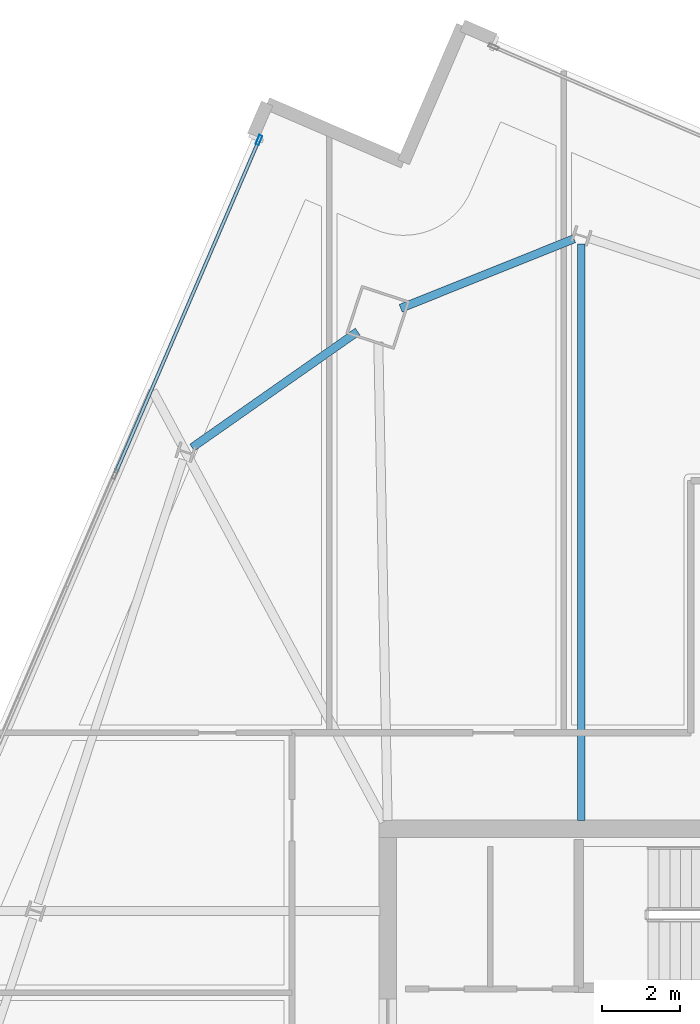
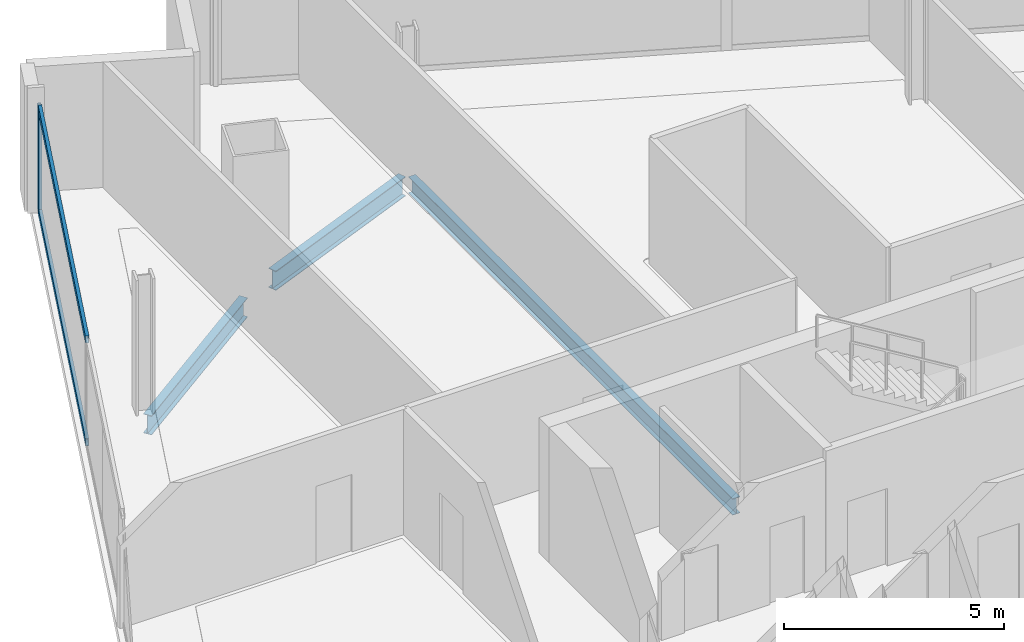
# One storey, part 14 of 28: 3 beams, 3 members, 1 element without a shape of its own.
"""IFC4 building model written with IfcOpenShell, lengths in metres."""

import ifcopenshell
import ifcopenshell.guid

model = None  # the IFC model being written
_history = None  # IfcOwnerHistory: only IFC2X3 demands one
_inside = {}  # id of a spatial element -> (the spatial element, [elements in it])
_under = {}  # id of a project, library or spatial element -> (it, [spatial elements below it])
_declared = {}  # id of a project -> (the project, [libraries it declares])
_typed = {}  # id of a type object -> (the type object, [elements of that type])
_made_of = {}  # id of a material, layer set ... -> (it, [elements and type objects made of it])


def new_model(schema):
    """Start an empty IFC model of exactly this schema.

    Asked for "IFC4X3", IfcOpenShell would pick the latest addendum, in which some entities
    have other attributes; the version numbers below select the first issue.
    IFC2X3 requires an IfcOwnerHistory on every rooted entity: one is made here for all.
    """
    global model, _history
    if schema == "IFC4X3":
        model = ifcopenshell.file(schema_version=(4, 3, 0, 0))
    else:
        model = ifcopenshell.file(schema=schema)
    _inside.clear()
    _under.clear()
    _declared.clear()
    _typed.clear()
    _made_of.clear()
    _history = None
    if model.schema == "IFC2X3":
        org = make("IfcOrganization", Name="unknown")
        user = make(
            "IfcPersonAndOrganization",
            ThePerson=make("IfcPerson", FamilyName="unknown"),
            TheOrganization=org,
        )
        app = make(
            "IfcApplication",
            ApplicationDeveloper=org,
            Version="unknown",
            ApplicationFullName="unknown",
            ApplicationIdentifier="unknown",
        )
        _history = make(
            "IfcOwnerHistory",
            OwningUser=user,
            OwningApplication=app,
            ChangeAction="ADDED",
            CreationDate=0,
        )
    return model


def make(cls, **values):
    """One entity of the class cls with the attributes given. An attribute that is None is left unset."""
    return model.create_entity(
        cls, **{name: value for name, value in values.items() if value is not None}
    )


def rooted(cls, **values):
    """An entity with a GlobalId (a new one), such as an element, a storey or a relation."""
    return make(cls, GlobalId=ifcopenshell.guid.new(), OwnerHistory=_history, **values)


def si_unit(unit_type, name, prefix=None):
    """IfcSIUnit, for example si_unit("LENGTHUNIT", "METRE", prefix="MILLI")."""
    return make("IfcSIUnit", UnitType=unit_type, Prefix=prefix, Name=name)


def assignment(units):
    """IfcUnitAssignment: the units of a project."""
    return None if units is None else make("IfcUnitAssignment", Units=units)


def point(xyz):
    """IfcCartesianPoint."""
    return None if xyz is None else make("IfcCartesianPoint", Coordinates=xyz)


def direction(xyz):
    """IfcDirection."""
    return None if xyz is None else make("IfcDirection", DirectionRatios=xyz)


def frame(location, z_axis=None, x_axis=None):
    """IfcAxis2Placement3D, a coordinate frame: its origin and axes. An axis left out is left unset."""
    return make(
        "IfcAxis2Placement3D",
        Location=point(location),
        Axis=direction(z_axis),
        RefDirection=direction(x_axis),
    )


def frame_2d(location, x_axis=None):
    """IfcAxis2Placement2D, a coordinate frame in the plane: its origin and x axis."""
    return make(
        "IfcAxis2Placement2D", Location=point(location), RefDirection=direction(x_axis)
    )


def origin():
    """The frame at (0, 0, 0) with its axes left unset."""
    return frame((0.0, 0.0, 0.0))


def origin_2d():
    """The frame at (0, 0) in the plane with its x axis left unset."""
    return frame_2d((0.0, 0.0))


def place(relative_to, where):
    """IfcLocalPlacement: puts the frame where relative to a parent placement (None: the world)."""
    return make(
        "IfcLocalPlacement", PlacementRelTo=relative_to, RelativePlacement=where
    )


def context(
    kind, dimensions, precision=None, world=None, true_north=None, identifier=None
):
    """IfcGeometricRepresentationContext, for example the 3D "Model" context."""
    return make(
        "IfcGeometricRepresentationContext",
        ContextIdentifier=identifier,
        ContextType=kind,
        CoordinateSpaceDimension=dimensions,
        Precision=precision,
        WorldCoordinateSystem=world,
        TrueNorth=true_north,
    )


def subcontext(parent, identifier, kind, view, scale=None):
    """IfcGeometricRepresentationSubContext, for example "Body" below "Model"."""
    return make(
        "IfcGeometricRepresentationSubContext",
        ContextIdentifier=identifier,
        ContextType=kind,
        ParentContext=parent,
        TargetScale=scale,
        TargetView=view,
    )


def project(units=None, contexts=None):
    """IfcProject with its units and contexts."""
    return rooted(
        "IfcProject",
        Name="project",
        RepresentationContexts=contexts,
        UnitsInContext=assignment(units),
    )


def spatial(cls, under=None, at=None, **own):
    """A site, building, storey or space (cls), placed at a placement, below another one or the project."""
    s = rooted(cls, ObjectPlacement=at, **own)
    if under is not None:
        _under.setdefault(under.id(), (under, []))[1].append(s)
    return s


def profile(cls, at=None, kind="AREA", **sizes):
    """A parametric profile (cls). Its sizes go by their IFC names, for example OverallWidth=200.0."""
    return make(cls, ProfileType=kind, Position=at, **sizes)


def hollow_rectangle(**sizes):
    """IfcRectangleHollowProfileDef."""
    return profile("IfcRectangleHollowProfileDef", **sizes)


def i_section(**sizes):
    """IfcIShapeProfileDef."""
    return profile("IfcIShapeProfileDef", **sizes)


def extrude(swept, where, along, depth):
    """IfcExtrudedAreaSolid: the profile swept, set in the frame where, extruded along a direction by depth."""
    return make(
        "IfcExtrudedAreaSolid",
        SweptArea=swept,
        Position=where,
        ExtrudedDirection=direction(along),
        Depth=depth,
    )


def shape(context_of_items, identifier, shape_type, items):
    """IfcShapeRepresentation: the items that make up one representation, for example the "Body"."""
    return make(
        "IfcShapeRepresentation",
        ContextOfItems=context_of_items,
        RepresentationIdentifier=identifier,
        RepresentationType=shape_type,
        Items=items,
    )


def material(Name=None, Category=None):
    """IfcMaterial."""
    return make("IfcMaterial", Name=Name, Category=Category)


def material_profile(
    of_material, cross_section, Name=None, Category=None, Priority=None
):
    """IfcMaterialProfile: a cross section and its material."""
    return make(
        "IfcMaterialProfile",
        Name=Name,
        Material=of_material,
        Profile=cross_section,
        Priority=Priority,
        Category=Category,
    )


def profile_set(profiles, Name=None, composite=None):
    """IfcMaterialProfileSet."""
    return make(
        "IfcMaterialProfileSet",
        Name=Name,
        MaterialProfiles=profiles,
        CompositeProfile=composite,
    )


def made_of(thing, what):
    """Note that an element or type object is made of a material, layer set ...; save() writes the relation."""
    if what is not None:
        _made_of.setdefault(what.id(), (what, []))[1].append(thing)
    return thing


def type_object(cls, material=None, **own):
    """A type object (cls), such as IfcWallType, which elements share."""
    return made_of(rooted(cls, **own), material)


def element(
    cls,
    number,
    at=None,
    inside=None,
    cuts=None,
    type_object=None,
    material=None,
    context=None,
    identifier="Body",
    shape_type=None,
    held_by="IfcProductDefinitionShape",
    body=None,
    shapes=None,
    **own,
):
    """One element of the class cls, such as IfcWall. Its Tag is "e" and its number.

    at: its placement. inside: the storey or other place that contains it. cuts: it is an
    opening in that element (IfcRelVoidsElement). A single representation is given by context,
    identifier, shape_type and body (its items); several are given by shapes. held_by: the class
    of the entity that holds the representations. save() writes the other relations.
    """
    e = rooted(cls, Tag="e%d" % number, ObjectPlacement=at, **own)
    if body is not None:
        shapes = [shape(context, identifier, shape_type, body)]
    if shapes is not None:
        e.Representation = make(held_by, Representations=shapes)
    if inside is not None:
        _inside.setdefault(inside.id(), (inside, []))[1].append(e)
    if cuts is not None:
        rooted(
            "IfcRelVoidsElement", RelatingBuildingElement=cuts, RelatedOpeningElement=e
        )
    if type_object is not None:
        _typed.setdefault(type_object.id(), (type_object, []))[1].append(e)
    return made_of(e, material)


def aggregate(whole, parts):
    """IfcRelAggregates: a whole, such as a stair, and the parts it consists of."""
    return rooted("IfcRelAggregates", RelatingObject=whole, RelatedObjects=parts)


def save(model, path):
    """Write the relations noted so far, then the file.

    IfcRelAggregates (storeys below a building ...), IfcRelContainedInSpatialStructure (elements
    in a storey), IfcRelDefinesByType, IfcRelAssociatesMaterial and IfcRelDeclares: one each for
    every whole, place, type object, material and project.
    """
    for whole, parts in _under.values():
        aggregate(whole, parts)
    for where, things in _inside.values():
        rooted(
            "IfcRelContainedInSpatialStructure",
            RelatedElements=things,
            RelatingStructure=where,
        )
    for kind, things in _typed.values():
        rooted("IfcRelDefinesByType", RelatedObjects=things, RelatingType=kind)
    for what, things in _made_of.values():
        rooted("IfcRelAssociatesMaterial", RelatedObjects=things, RelatingMaterial=what)
    for by, libraries in _declared.values():
        rooted("IfcRelDeclares", RelatingContext=by, RelatedDefinitions=libraries)
    model.write(path)


model = new_model("IFC4")

# Units and contexts
model_context = context("Model", 3, precision=1e-05, world=origin(), true_north=direction((0.0, 1.0)))
body_context = subcontext(model_context, "Body", "Model", "MODEL_VIEW")
ifc_project = project(units=[si_unit("LENGTHUNIT", "METRE"), si_unit("AREAUNIT", "SQUARE_METRE"), si_unit("VOLUMEUNIT", "CUBIC_METRE"), si_unit("PLANEANGLEUNIT", "RADIAN"), si_unit("MASSUNIT", "GRAM", prefix="KILO")], contexts=[model_context])

# Site, building, storey
site_placement = place(None, origin())
site = spatial("IfcSite", under=ifc_project, at=site_placement, CompositionType="ELEMENT")
building_placement = place(site_placement, origin())
building = spatial("IfcBuilding", under=site, at=building_placement, Name="Haldenkirk Collegiate Tower", CompositionType="ELEMENT")
storey_placement = place(building_placement, frame((0.0, 0.0, 252.449951171875)))
storey = spatial("IfcBuildingStorey", under=building, at=storey_placement, Name="L63", CompositionType="ELEMENT", Elevation=252.449951171875)

# Beams
ifc_material_1 = material(Name="Steel ASTM A992 Grade 50", Category="steel")
ifc_material_profile_1 = material_profile(ifc_material_1, i_section(OverallWidth=0.18994140625, OverallDepth=0.45703125, WebThickness=0.009033203125, FlangeThickness=0.014404296875, at=origin_2d()), Name="W18X50")
ifc_profile_set_1 = profile_set([ifc_material_profile_1], Name="Steel ASTM A992 Grade 50")
beam_type_1 = type_object("IfcBeamType", Name="BM-JOIST-W18X50", PredefinedType="JOIST", material=ifc_profile_set_1)
beam_1_placement = place(storey_placement, frame((31.949462890625, 48.955810546875, -0.49853515625), z_axis=(0.0, -1.0, 0.0), x_axis=(1.0, 0.0, 0.0)))
element("IfcBeam", 1, at=beam_1_placement, inside=storey, type_object=beam_type_1, Name="L63 composite floor joist 10", PredefinedType="JOIST", context=body_context, shape_type="SweptSolid", body=[
    extrude(i_section(OverallWidth=0.18994140625, OverallDepth=0.45703125, WebThickness=0.009033203125, FlangeThickness=0.014404296875, at=origin_2d()), origin(), (0.0, 0.0, 1.0), 14.750732421875),
])
ifc_material_profile_2 = material_profile(ifc_material_1, i_section(OverallWidth=0.2099609375, OverallDepth=0.537109375, WebThickness=0.010986328125, FlangeThickness=0.017333984375, at=origin_2d()), Name="W21X68")
ifc_profile_set_2 = profile_set([ifc_material_profile_2], Name="Steel ASTM A992 Grade 50")
beam_type_2 = type_object("IfcBeamType", Name="BM-SPANDREL-W21X68", PredefinedType="SPANDREL", material=ifc_profile_set_2)
beam_2_placement = place(storey_placement, frame((31.761474609375, 49.0830078125, -0.538330078125), z_axis=(-0.928296709602, -0.371840313768, 0.0), x_axis=(0.371840313768, -0.928296709602, 0.0)))
element("IfcBeam", 2, at=beam_2_placement, inside=storey, type_object=beam_type_2, Name="L63 perimeter spandrel beam 08", PredefinedType="SPANDREL", context=body_context, shape_type="SweptSolid", body=[
    extrude(i_section(OverallWidth=0.2099609375, OverallDepth=0.537109375, WebThickness=0.010986328125, FlangeThickness=0.017333984375, at=origin_2d()), origin(), (0.0, 0.0, 1.0), 4.77392578125),
])
beam_3_placement = place(storey_placement, frame((26.22900390625, 46.7119140625, -0.538330078125), z_axis=(-0.818927819185, -0.573896529842, 0.0), x_axis=(0.573896529842, -0.818927819185, 0.0)))
element("IfcBeam", 3, at=beam_3_placement, inside=storey, type_object=beam_type_2, Name="L63 perimeter spandrel beam 09", PredefinedType="SPANDREL", context=body_context, shape_type="SweptSolid", body=[
    extrude(i_section(OverallWidth=0.2099609375, OverallDepth=0.537109375, WebThickness=0.010986328125, FlangeThickness=0.017333984375, at=origin_2d()), origin(), (0.0, 0.0, 1.0), 5.169189453125),
])

# Curtain wall, members
ifc_material_2 = material(Name="Anodised architectural bronze aluminium", Category="aluminium")
curtain_wall_type = type_object("IfcCurtainWallType", Name="CW-SYS1B-CONVEX-HI", PredefinedType="USERDEFINED", material=ifc_material_2)
curtain_wall_placement = place(storey_placement, origin())
curtain_wall = element("IfcCurtainWall", 4, at=curtain_wall_placement, inside=storey, type_object=curtain_wall_type, Name="L63 Upper tower high-wind convex bronze unitised curtain wall", ObjectType="UNITISED CURTAIN WALL", PredefinedType="USERDEFINED")
ifc_material_profile_3 = material_profile(ifc_material_2, hollow_rectangle(XDim=0.0849609375, YDim=0.25, WallThickness=0.0048828125, at=origin_2d()), Name="CW-MUL-1B")
ifc_profile_set_3 = profile_set([ifc_material_profile_3], Name="Anodised architectural bronze aluminium")
member_type_1 = type_object("IfcMemberType", Name="CW-MUL-1B", PredefinedType="MULLION", material=ifc_profile_set_3)
member_1_placement = place(storey_placement, frame((23.706787109375, 51.6083984375, 0.0), z_axis=(0.0, 0.0, 1.0), x_axis=(-0.918446421115, 0.395545410215, 0.0)))
member_1 = element("IfcMember", 5, at=member_1_placement, type_object=member_type_1, Name="CW-1B mullion 5", PredefinedType="MULLION", context=body_context, shape_type="SweptSolid", body=[
    extrude(hollow_rectangle(XDim=0.0849609375, YDim=0.25, WallThickness=0.0048828125, at=origin_2d()), origin(), (0.0, 0.0, 1.0), 2.93798828125),
])
ifc_material_profile_4 = material_profile(ifc_material_2, hollow_rectangle(XDim=0.0849609375, YDim=0.199951171875, WallThickness=0.0048828125, at=origin_2d()), Name="CW-TRN-1B")
ifc_profile_set_4 = profile_set([ifc_material_profile_4], Name="Anodised architectural bronze aluminium")
member_type_2 = type_object("IfcMemberType", Name="CW-TRN-1B", PredefinedType="USERDEFINED", material=ifc_profile_set_4)
member_2_placement = place(storey_placement, frame((20.0419921875, 43.09912109375, 0.04248046875), z_axis=(0.39555450261, 0.918442505258, 0.0), x_axis=(-0.918442505258, 0.39555450261, 0.0)))
member_2 = element("IfcMember", 6, at=member_2_placement, type_object=member_type_2, Name="CW-1B transom 4.1", ObjectType="TRANSOM", PredefinedType="USERDEFINED", context=body_context, shape_type="SweptSolid", body=[
    extrude(hollow_rectangle(XDim=0.0849609375, YDim=0.199951171875, WallThickness=0.0048828125, at=origin_2d()), origin(), (0.0, 0.0, 1.0), 9.222412109375),
])
member_3_placement = place(storey_placement, frame((20.0419921875, 43.09912109375, 2.8955078125), z_axis=(0.39555450261, 0.918442505258, 0.0), x_axis=(-0.918442505258, 0.39555450261, 0.0)))
member_3 = element("IfcMember", 7, at=member_3_placement, type_object=member_type_2, Name="CW-1B transom 4.2", ObjectType="TRANSOM", PredefinedType="USERDEFINED", context=body_context, shape_type="SweptSolid", body=[
    extrude(hollow_rectangle(XDim=0.0849609375, YDim=0.199951171875, WallThickness=0.0048828125, at=origin_2d()), origin(), (0.0, 0.0, 1.0), 9.222412109375),
])
aggregate(curtain_wall, [member_1, member_2, member_3])

save(model, "model.ifc")
